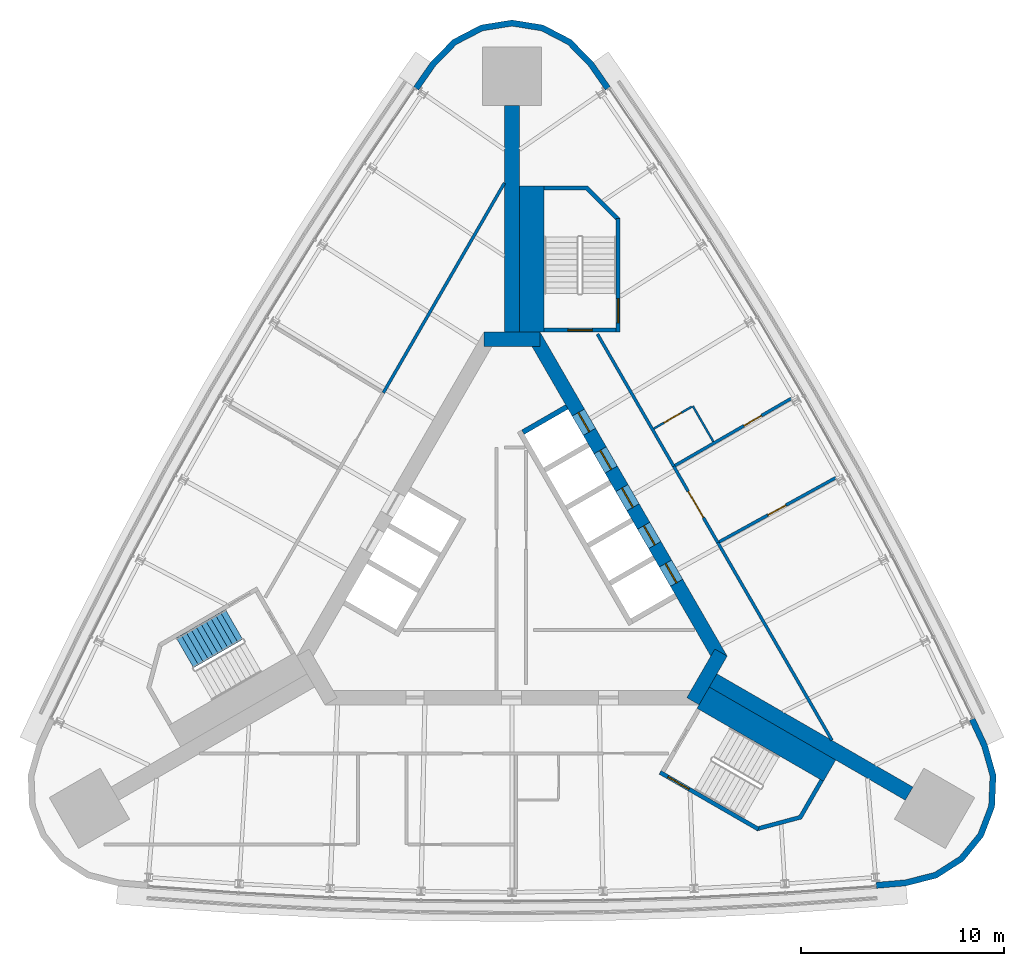
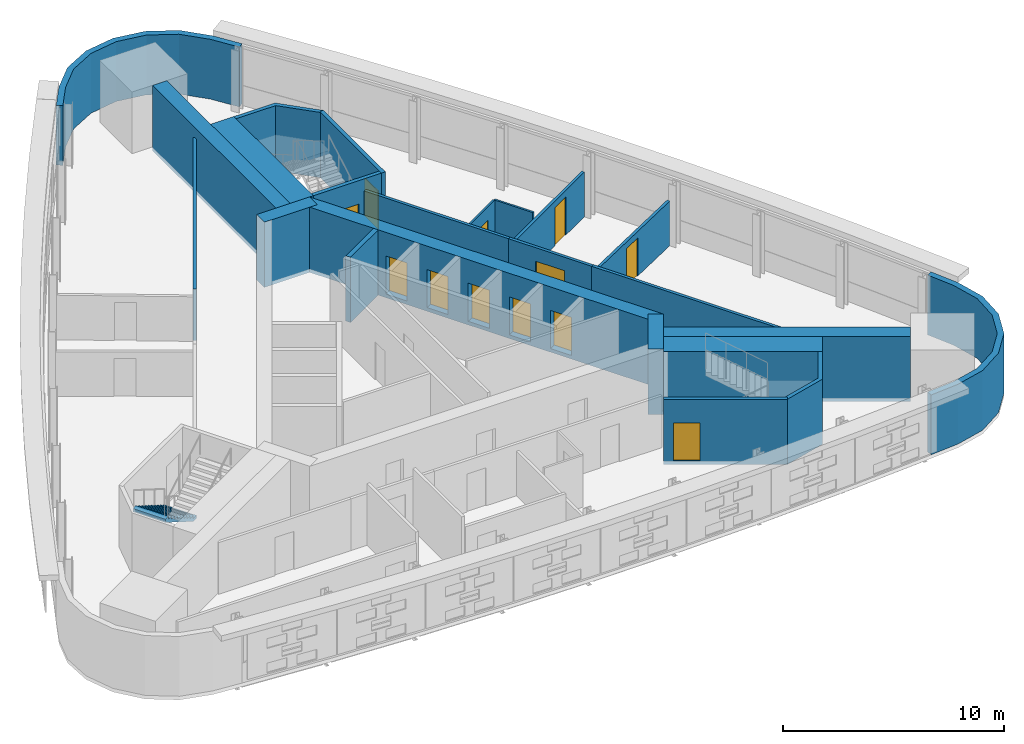
# One storey, part 10 of 13: 23 walls, 12 doors, 1 stair flight, 12 openings, 1 element without a shape of its own.
"""IFC4 building model written with IfcOpenShell, lengths in metres."""

import ifcopenshell
import ifcopenshell.guid

model = None  # the IFC model being written
_history = None  # IfcOwnerHistory: only IFC2X3 demands one
_inside = {}  # id of a spatial element -> (the spatial element, [elements in it])
_under = {}  # id of a project, library or spatial element -> (it, [spatial elements below it])
_declared = {}  # id of a project -> (the project, [libraries it declares])
_typed = {}  # id of a type object -> (the type object, [elements of that type])
_made_of = {}  # id of a material, layer set ... -> (it, [elements and type objects made of it])


def new_model(schema):
    """Start an empty IFC model of exactly this schema.

    Asked for "IFC4X3", IfcOpenShell would pick the latest addendum, in which some entities
    have other attributes; the version numbers below select the first issue.
    IFC2X3 requires an IfcOwnerHistory on every rooted entity: one is made here for all.
    """
    global model, _history
    if schema == "IFC4X3":
        model = ifcopenshell.file(schema_version=(4, 3, 0, 0))
    else:
        model = ifcopenshell.file(schema=schema)
    _inside.clear()
    _under.clear()
    _declared.clear()
    _typed.clear()
    _made_of.clear()
    _history = None
    if model.schema == "IFC2X3":
        org = make("IfcOrganization", Name="unknown")
        user = make(
            "IfcPersonAndOrganization",
            ThePerson=make("IfcPerson", FamilyName="unknown"),
            TheOrganization=org,
        )
        app = make(
            "IfcApplication",
            ApplicationDeveloper=org,
            Version="unknown",
            ApplicationFullName="unknown",
            ApplicationIdentifier="unknown",
        )
        _history = make(
            "IfcOwnerHistory",
            OwningUser=user,
            OwningApplication=app,
            ChangeAction="ADDED",
            CreationDate=0,
        )
    return model


def make(cls, **values):
    """One entity of the class cls with the attributes given. An attribute that is None is left unset."""
    return model.create_entity(
        cls, **{name: value for name, value in values.items() if value is not None}
    )


def rooted(cls, **values):
    """An entity with a GlobalId (a new one), such as an element, a storey or a relation."""
    return make(cls, GlobalId=ifcopenshell.guid.new(), OwnerHistory=_history, **values)


def si_unit(unit_type, name, prefix=None):
    """IfcSIUnit, for example si_unit("LENGTHUNIT", "METRE", prefix="MILLI")."""
    return make("IfcSIUnit", UnitType=unit_type, Prefix=prefix, Name=name)


def assignment(units):
    """IfcUnitAssignment: the units of a project."""
    return None if units is None else make("IfcUnitAssignment", Units=units)


def point(xyz):
    """IfcCartesianPoint."""
    return None if xyz is None else make("IfcCartesianPoint", Coordinates=xyz)


def direction(xyz):
    """IfcDirection."""
    return None if xyz is None else make("IfcDirection", DirectionRatios=xyz)


def frame(location, z_axis=None, x_axis=None):
    """IfcAxis2Placement3D, a coordinate frame: its origin and axes. An axis left out is left unset."""
    return make(
        "IfcAxis2Placement3D",
        Location=point(location),
        Axis=direction(z_axis),
        RefDirection=direction(x_axis),
    )


def frame_2d(location, x_axis=None):
    """IfcAxis2Placement2D, a coordinate frame in the plane: its origin and x axis."""
    return make(
        "IfcAxis2Placement2D", Location=point(location), RefDirection=direction(x_axis)
    )


def origin():
    """The frame at (0, 0, 0) with its axes left unset."""
    return frame((0.0, 0.0, 0.0))


def place(relative_to, where):
    """IfcLocalPlacement: puts the frame where relative to a parent placement (None: the world)."""
    return make(
        "IfcLocalPlacement", PlacementRelTo=relative_to, RelativePlacement=where
    )


def context(
    kind, dimensions, precision=None, world=None, true_north=None, identifier=None
):
    """IfcGeometricRepresentationContext, for example the 3D "Model" context."""
    return make(
        "IfcGeometricRepresentationContext",
        ContextIdentifier=identifier,
        ContextType=kind,
        CoordinateSpaceDimension=dimensions,
        Precision=precision,
        WorldCoordinateSystem=world,
        TrueNorth=true_north,
    )


def subcontext(parent, identifier, kind, view, scale=None):
    """IfcGeometricRepresentationSubContext, for example "Body" below "Model"."""
    return make(
        "IfcGeometricRepresentationSubContext",
        ContextIdentifier=identifier,
        ContextType=kind,
        ParentContext=parent,
        TargetScale=scale,
        TargetView=view,
    )


def project(units=None, contexts=None):
    """IfcProject with its units and contexts."""
    return rooted(
        "IfcProject",
        Name="project",
        RepresentationContexts=contexts,
        UnitsInContext=assignment(units),
    )


def spatial(cls, under=None, at=None, **own):
    """A site, building, storey or space (cls), placed at a placement, below another one or the project."""
    s = rooted(cls, ObjectPlacement=at, **own)
    if under is not None:
        _under.setdefault(under.id(), (under, []))[1].append(s)
    return s


def polyline(points):
    """IfcPolyline through the points."""
    return make("IfcPolyline", Points=[point(p) for p in points])


def profile(cls, at=None, kind="AREA", **sizes):
    """A parametric profile (cls). Its sizes go by their IFC names, for example OverallWidth=200.0."""
    return make(cls, ProfileType=kind, Position=at, **sizes)


def rectangle(**sizes):
    """IfcRectangleProfileDef."""
    return profile("IfcRectangleProfileDef", **sizes)


def outline(outer, holes=None, kind="AREA"):
    """IfcArbitraryClosedProfileDef: a profile drawn as a closed curve; with holes, ...WithVoids."""
    if holes is None:
        return make("IfcArbitraryClosedProfileDef", ProfileType=kind, OuterCurve=outer)
    return make(
        "IfcArbitraryProfileDefWithVoids",
        ProfileType=kind,
        OuterCurve=outer,
        InnerCurves=holes,
    )


def extrude(swept, where, along, depth):
    """IfcExtrudedAreaSolid: the profile swept, set in the frame where, extruded along a direction by depth."""
    return make(
        "IfcExtrudedAreaSolid",
        SweptArea=swept,
        Position=where,
        ExtrudedDirection=direction(along),
        Depth=depth,
    )


def shape(context_of_items, identifier, shape_type, items):
    """IfcShapeRepresentation: the items that make up one representation, for example the "Body"."""
    return make(
        "IfcShapeRepresentation",
        ContextOfItems=context_of_items,
        RepresentationIdentifier=identifier,
        RepresentationType=shape_type,
        Items=items,
    )


def material(Name=None, Category=None):
    """IfcMaterial."""
    return make("IfcMaterial", Name=Name, Category=Category)


def layer(
    of_material, thickness, ventilated=None, Name=None, Category=None, Priority=None
):
    """IfcMaterialLayer: one layer of a wall or slab, of a material (None: an air gap)."""
    return make(
        "IfcMaterialLayer",
        Material=of_material,
        LayerThickness=thickness,
        IsVentilated=ventilated,
        Name=Name,
        Category=Category,
        Priority=Priority,
    )


def layer_set(layers, Name=None):
    """IfcMaterialLayerSet."""
    return make("IfcMaterialLayerSet", MaterialLayers=layers, LayerSetName=Name)


def made_of(thing, what):
    """Note that an element or type object is made of a material, layer set ...; save() writes the relation."""
    if what is not None:
        _made_of.setdefault(what.id(), (what, []))[1].append(thing)
    return thing


def type_object(cls, material=None, **own):
    """A type object (cls), such as IfcWallType, which elements share."""
    return made_of(rooted(cls, **own), material)


def element(
    cls,
    number,
    at=None,
    inside=None,
    cuts=None,
    type_object=None,
    material=None,
    context=None,
    identifier="Body",
    shape_type=None,
    held_by="IfcProductDefinitionShape",
    body=None,
    shapes=None,
    **own,
):
    """One element of the class cls, such as IfcWall. Its Tag is "e" and its number.

    at: its placement. inside: the storey or other place that contains it. cuts: it is an
    opening in that element (IfcRelVoidsElement). A single representation is given by context,
    identifier, shape_type and body (its items); several are given by shapes. held_by: the class
    of the entity that holds the representations. save() writes the other relations.
    """
    e = rooted(cls, Tag="e%d" % number, ObjectPlacement=at, **own)
    if body is not None:
        shapes = [shape(context, identifier, shape_type, body)]
    if shapes is not None:
        e.Representation = make(held_by, Representations=shapes)
    if inside is not None:
        _inside.setdefault(inside.id(), (inside, []))[1].append(e)
    if cuts is not None:
        rooted(
            "IfcRelVoidsElement", RelatingBuildingElement=cuts, RelatedOpeningElement=e
        )
    if type_object is not None:
        _typed.setdefault(type_object.id(), (type_object, []))[1].append(e)
    return made_of(e, material)


def fill(opening, filler):
    """IfcRelFillsElement: the door or window that sits in an opening."""
    return rooted(
        "IfcRelFillsElement",
        RelatingOpeningElement=opening,
        RelatedBuildingElement=filler,
    )


def aggregate(whole, parts):
    """IfcRelAggregates: a whole, such as a stair, and the parts it consists of."""
    return rooted("IfcRelAggregates", RelatingObject=whole, RelatedObjects=parts)


def save(model, path):
    """Write the relations noted so far, then the file.

    IfcRelAggregates (storeys below a building ...), IfcRelContainedInSpatialStructure (elements
    in a storey), IfcRelDefinesByType, IfcRelAssociatesMaterial and IfcRelDeclares: one each for
    every whole, place, type object, material and project.
    """
    for whole, parts in _under.values():
        aggregate(whole, parts)
    for where, things in _inside.values():
        rooted(
            "IfcRelContainedInSpatialStructure",
            RelatedElements=things,
            RelatingStructure=where,
        )
    for kind, things in _typed.values():
        rooted("IfcRelDefinesByType", RelatedObjects=things, RelatingType=kind)
    for what, things in _made_of.values():
        rooted("IfcRelAssociatesMaterial", RelatedObjects=things, RelatingMaterial=what)
    for by, libraries in _declared.values():
        rooted("IfcRelDeclares", RelatingContext=by, RelatedDefinitions=libraries)
    model.write(path)


model = new_model("IFC4")

# Units and contexts
model_context = context("Model", 3, precision=1e-05, world=origin(), true_north=direction((0.0, 1.0)))
body_context = subcontext(model_context, "Body", "Model", "MODEL_VIEW")
ifc_project = project(units=[si_unit("LENGTHUNIT", "METRE"), si_unit("AREAUNIT", "SQUARE_METRE"), si_unit("VOLUMEUNIT", "CUBIC_METRE"), si_unit("PLANEANGLEUNIT", "RADIAN"), si_unit("MASSUNIT", "GRAM", prefix="KILO")], contexts=[model_context])

# Site, building, storey
site_placement = place(None, origin())
site = spatial("IfcSite", under=ifc_project, at=site_placement, CompositionType="ELEMENT")
building_placement = place(site_placement, origin())
building = spatial("IfcBuilding", under=site, at=building_placement, Name="Noor Cloister Tower", CompositionType="ELEMENT")
storey_placement = place(building_placement, frame((0.0, 0.0, 147.300048828125)))
storey = spatial("IfcBuildingStorey", under=building, at=storey_placement, Name="L37", CompositionType="ELEMENT", Elevation=147.300048828125)

# Walls
ifc_material_1 = material(Name="Concrete C70/85", Category="concrete")
ifc_layer_1 = layer(ifc_material_1, 0.75)
ifc_layer_set_1 = layer_set([ifc_layer_1], Name="Buttress wall 750 C70/85")
wall_type_1 = type_object("IfcWallType", Name="Buttress wall 750 C70/85", PredefinedType="SHEAR", material=ifc_layer_set_1)
wall_1_placement = place(storey_placement, frame((0.0, 11.456298828125, -0.199951171875), z_axis=(0.0, 0.0, 1.0), x_axis=(0.0, 1.0, 0.0)))
element("IfcWall", 1, at=wall_1_placement, inside=storey, type_object=wall_type_1, Name="Buttress wall N L37", PredefinedType="SHEAR", context=body_context, shape_type="SweptSolid", body=[
    extrude(rectangle(XDim=11.166748046875, YDim=0.75, at=frame_2d((5.58349609375, 0.0))), origin(), (0.0, 0.0, 1.0), 3.599853515625),
])
wall_2_placement = place(storey_placement, frame((9.921630859375, -5.728271484375, -0.199951171875), z_axis=(0.0, 0.0, 1.0), x_axis=(0.866023928423, -0.500002555393, 0.0)))
element("IfcWall", 2, at=wall_2_placement, inside=storey, type_object=wall_type_1, Name="Buttress wall SE L37", PredefinedType="SHEAR", context=body_context, shape_type="SweptSolid", body=[
    extrude(rectangle(XDim=11.16650390625, YDim=0.75, at=frame_2d((5.583251953125, 0.0))), origin(), (0.0, 0.0, 1.0), 3.599853515625),
])
ifc_material_2 = material(Name="Concrete C70/85", Category="concrete")
ifc_layer_2 = layer(ifc_material_2, 0.699951171875)
ifc_layer_set_2 = layer_set([ifc_layer_2], Name="Core wall 700 C70/85")
wall_type_2 = type_object("IfcWallType", Name="Core wall 700 C70/85", PredefinedType="SHEAR", material=ifc_layer_set_2)
wall_3_placement = place(storey_placement, frame((8.925537109375, -6.753173828125, -0.199951171875), z_axis=(0.0, 0.0, 1.0), x_axis=(0.500042739161, 0.866000726912, 0.0)))
element("IfcWall", 3, at=wall_3_placement, inside=storey, type_object=wall_type_2, Name="Core wall L37 2", PredefinedType="SHEAR", context=body_context, shape_type="SweptSolid", body=[
    extrude(rectangle(XDim=2.771240234375, YDim=0.699951171875, at=frame_2d((1.3857421875, 0.0))), origin(), (0.0, 0.0, 1.0), 3.599853515625),
])

# Wall, openings, doors
wall_4_placement = place(storey_placement, frame((10.311279296875, -4.703125, -0.199951171875), z_axis=(0.0, 0.0, 1.0), x_axis=(-0.500001446645, 0.866024568562, 0.0)))
wall_4 = element("IfcWall", 4, at=wall_4_placement, inside=storey, type_object=wall_type_2, Name="Core wall L37 3", PredefinedType="SHEAR", context=body_context, shape_type="SweptSolid", body=[
    extrude(rectangle(XDim=18.45751953125, YDim=0.699951171875, at=frame_2d((9.228759765625, 0.0))), origin(), (0.0, 0.0, 1.0), 3.599853515625),
])
opening_1_placement = place(wall_4_placement, frame((4.378662109375, 0.0, 0.199951171875)))
opening_1 = element("IfcOpeningElement", 5, at=opening_1_placement, cuts=wall_4, Name="Opening L37-HR1", PredefinedType="OPENING", context=body_context, shape_type="SweptSolid", body=[
    extrude(rectangle(XDim=1.10009765625, YDim=2.10009765625, at=frame_2d((0.550048828125, 1.050048828125))), frame((0.0, 0.35986328125, 0.0), z_axis=(0.0, -1.0, 0.0), x_axis=(1.0, 0.0, 0.0)), (0.0, 0.0, 1.0), 0.719970703125),
])
opening_2_placement = place(wall_4_placement, frame((6.52880859375, 0.0, 0.199951171875)))
opening_2 = element("IfcOpeningElement", 6, at=opening_2_placement, cuts=wall_4, Name="Opening L37-HR2", PredefinedType="OPENING", context=body_context, shape_type="SweptSolid", body=[
    extrude(rectangle(XDim=1.10009765625, YDim=2.10009765625, at=frame_2d((0.550048828125, 1.050048828125))), frame((0.0, 0.35986328125, 0.0), z_axis=(0.0, -1.0, 0.0), x_axis=(1.0, 0.0, 0.0)), (0.0, 0.0, 1.0), 0.719970703125),
])
opening_3_placement = place(wall_4_placement, frame((8.6787109375, 0.0, 0.199951171875)))
opening_3 = element("IfcOpeningElement", 7, at=opening_3_placement, cuts=wall_4, Name="Opening L37-HR3", PredefinedType="OPENING", context=body_context, shape_type="SweptSolid", body=[
    extrude(rectangle(XDim=1.10009765625, YDim=2.10009765625, at=frame_2d((0.550048828125, 1.050048828125))), frame((0.0, 0.35986328125, 0.0), z_axis=(0.0, -1.0, 0.0), x_axis=(1.0, 0.0, 0.0)), (0.0, 0.0, 1.0), 0.719970703125),
])
opening_4_placement = place(wall_4_placement, frame((10.82861328125, 0.0, 0.199951171875)))
opening_4 = element("IfcOpeningElement", 8, at=opening_4_placement, cuts=wall_4, Name="Opening L37-HR4", PredefinedType="OPENING", context=body_context, shape_type="SweptSolid", body=[
    extrude(rectangle(XDim=1.10009765625, YDim=2.10009765625, at=frame_2d((0.550048828125, 1.050048828125))), frame((0.0, 0.35986328125, 0.0), z_axis=(0.0, -1.0, 0.0), x_axis=(1.0, 0.0, 0.0)), (0.0, 0.0, 1.0), 0.719970703125),
])
opening_5_placement = place(wall_4_placement, frame((12.978759765625, 0.0, 0.199951171875)))
opening_5 = element("IfcOpeningElement", 9, at=opening_5_placement, cuts=wall_4, Name="Opening L37-HR5", PredefinedType="OPENING", context=body_context, shape_type="SweptSolid", body=[
    extrude(rectangle(XDim=1.10009765625, YDim=2.10009765625, at=frame_2d((0.550048828125, 1.050048828125))), frame((0.0, 0.35986328125, 0.0), z_axis=(0.0, -1.0, 0.0), x_axis=(1.0, 0.0, 0.0)), (0.0, 0.0, 1.0), 0.719970703125),
])
ifc_material_3 = material(Name="Stainless steel", Category="steel")
door_type_1 = type_object("IfcDoorType", Name="Lift landing door 1100 x 2100", OperationType="DOUBLE_DOOR_SLIDING", PredefinedType="DOOR", material=ifc_material_3)
door_1_placement = place(opening_1_placement, origin())
door_1 = element("IfcDoor", 10, at=door_1_placement, inside=storey, type_object=door_type_1, Name="Landing door HR1 L37", OperationType="DOUBLE_DOOR_SLIDING", OverallHeight=2.10009765625, OverallWidth=1.10009765625, PredefinedType="DOOR", context=body_context, shape_type="SweptSolid", body=[
    extrude(rectangle(XDim=1.10009765625, YDim=2.10009765625, at=frame_2d((0.550048828125, 1.050048828125))), frame((0.0, 0.02490234375, 0.0), z_axis=(0.0, -1.0, 0.0), x_axis=(1.0, 0.0, 0.0)), (0.0, 0.0, 1.0), 0.050048828125),
])
fill(opening_1, door_1)
door_2_placement = place(opening_2_placement, origin())
door_2 = element("IfcDoor", 11, at=door_2_placement, inside=storey, type_object=door_type_1, Name="Landing door HR2 L37", OperationType="DOUBLE_DOOR_SLIDING", OverallHeight=2.10009765625, OverallWidth=1.10009765625, PredefinedType="DOOR", context=body_context, shape_type="SweptSolid", body=[
    extrude(rectangle(XDim=1.10009765625, YDim=2.10009765625, at=frame_2d((0.550048828125, 1.050048828125))), frame((0.0, 0.02490234375, 0.0), z_axis=(0.0, -1.0, 0.0), x_axis=(1.0, 0.0, 0.0)), (0.0, 0.0, 1.0), 0.050048828125),
])
fill(opening_2, door_2)
door_3_placement = place(opening_3_placement, origin())
door_3 = element("IfcDoor", 12, at=door_3_placement, inside=storey, type_object=door_type_1, Name="Landing door HR3 L37", OperationType="DOUBLE_DOOR_SLIDING", OverallHeight=2.10009765625, OverallWidth=1.10009765625, PredefinedType="DOOR", context=body_context, shape_type="SweptSolid", body=[
    extrude(rectangle(XDim=1.10009765625, YDim=2.10009765625, at=frame_2d((0.550048828125, 1.050048828125))), frame((0.0, 0.02490234375, 0.0), z_axis=(0.0, -1.0, 0.0), x_axis=(1.0, 0.0, 0.0)), (0.0, 0.0, 1.0), 0.050048828125),
])
fill(opening_3, door_3)
door_4_placement = place(opening_4_placement, origin())
door_4 = element("IfcDoor", 13, at=door_4_placement, inside=storey, type_object=door_type_1, Name="Landing door HR4 L37", OperationType="DOUBLE_DOOR_SLIDING", OverallHeight=2.10009765625, OverallWidth=1.10009765625, PredefinedType="DOOR", context=body_context, shape_type="SweptSolid", body=[
    extrude(rectangle(XDim=1.10009765625, YDim=2.10009765625, at=frame_2d((0.550048828125, 1.050048828125))), frame((0.0, 0.02490234375, 0.0), z_axis=(0.0, -1.0, 0.0), x_axis=(1.0, 0.0, 0.0)), (0.0, 0.0, 1.0), 0.050048828125),
])
fill(opening_4, door_4)
door_5_placement = place(opening_5_placement, origin())
door_5 = element("IfcDoor", 14, at=door_5_placement, inside=storey, type_object=door_type_1, Name="Landing door HR5 L37", OperationType="DOUBLE_DOOR_SLIDING", OverallHeight=2.10009765625, OverallWidth=1.10009765625, PredefinedType="DOOR", context=body_context, shape_type="SweptSolid", body=[
    extrude(rectangle(XDim=1.10009765625, YDim=2.10009765625, at=frame_2d((0.550048828125, 1.050048828125))), frame((0.0, 0.02490234375, 0.0), z_axis=(0.0, -1.0, 0.0), x_axis=(1.0, 0.0, 0.0)), (0.0, 0.0, 1.0), 0.050048828125),
])
fill(opening_5, door_5)

# Walls
wall_5_placement = place(storey_placement, frame((1.3857421875, 11.1064453125, -0.199951171875), z_axis=(0.0, 0.0, 1.0), x_axis=(-1.0, 0.0, 0.0)))
element("IfcWall", 15, at=wall_5_placement, inside=storey, type_object=wall_type_2, Name="Core wall L37 4", PredefinedType="SHEAR", context=body_context, shape_type="SweptSolid", body=[
    extrude(rectangle(XDim=2.771484375, YDim=0.699951171875, at=frame_2d((1.3857421875, 0.0))), origin(), (0.0, 0.0, 1.0), 3.599853515625),
])
ifc_material_4 = material(Name="Fire-rated gypsum board partition on steel studs, 150 mm", Category="steel")
ifc_layer_3 = layer(ifc_material_4, 0.14990234375)
ifc_layer_set_3 = layer_set([ifc_layer_3], Name="Fire lobby wall 150")
wall_type_3 = type_object("IfcWallType", Name="Fire lobby wall 150", PredefinedType="PARTITIONING", material=ifc_layer_set_3)
wall_6_placement = place(storey_placement, frame((-0.375, 18.806884765625, 0.0), z_axis=(0.0, 0.0, 1.0), x_axis=(-0.499995562011, -0.866027966043, 0.0)))
element("IfcWall", 16, at=wall_6_placement, inside=storey, type_object=wall_type_3, Name="Wall L37-W18", PredefinedType="PARTITIONING", context=body_context, shape_type="SweptSolid", body=[
    extrude(rectangle(XDim=11.9423828125, YDim=0.14990234375, at=frame_2d((5.97119140625, 0.0))), origin(), (0.0, 0.0, 1.0), 2.846923828125),
])
ifc_material_5 = material(Name="Gypsum board partition on steel studs, 150 mm", Category="steel")
ifc_layer_4 = layer(ifc_material_5, 0.14990234375)
ifc_layer_set_4 = layer_set([ifc_layer_4], Name="Flat wall 150")
wall_type_4 = type_object("IfcWallType", Name="Flat wall 150", PredefinedType="PARTITIONING", material=ifc_layer_set_4)
wall_7_placement = place(storey_placement, frame((15.781982421875, -8.6787109375, 0.0), z_axis=(0.0, 0.0, 1.0), x_axis=(-0.500008408626, 0.866020549008, 0.0)))
element("IfcWall", 17, at=wall_7_placement, inside=storey, type_object=wall_type_4, Name="Wall L37-W01", PredefinedType="PARTITIONING", context=body_context, shape_type="SweptSolid", body=[
    extrude(rectangle(XDim=11.258056640625, YDim=0.14990234375, at=frame_2d((5.62890625, 0.0))), origin(), (0.0, 0.0, 1.0), 2.846923828125),
])
wall_8_placement = place(storey_placement, frame((7.978515625, 4.83740234375, 0.0), z_axis=(0.0, 0.0, 1.0), x_axis=(-0.500014427086, 0.866017074142, 0.0)))
element("IfcWall", 18, at=wall_8_placement, inside=storey, type_object=wall_type_4, Name="Wall L37-W02", PredefinedType="PARTITIONING", context=body_context, shape_type="SweptSolid", body=[
    extrude(rectangle(XDim=7.527587890625, YDim=0.14990234375, at=frame_2d((3.763671875, 0.0))), origin(), (0.0, 0.0, 1.0), 2.846923828125),
])

# Wall, opening, door
wall_9_placement = place(storey_placement, frame((15.98046875, 4.278076171875, 0.0), z_axis=(0.0, 0.0, 1.0), x_axis=(-0.876090474863, -0.482146740997, 0.0)))
wall_9 = element("IfcWall", 19, at=wall_9_placement, inside=storey, type_object=wall_type_4, Name="Wall L37-W03", PredefinedType="PARTITIONING", context=body_context, shape_type="SweptSolid", body=[
    extrude(rectangle(XDim=6.57666015625, YDim=0.14990234375, at=frame_2d((3.288330078125, 0.0))), origin(), (0.0, 0.0, 1.0), 2.4609375),
])
opening_6_placement = place(wall_9_placement, frame((2.825927734375, 0.0, 0.0)))
opening_6 = element("IfcOpeningElement", 20, at=opening_6_placement, cuts=wall_9, Name="Opening L37-002", PredefinedType="OPENING", context=body_context, shape_type="SweptSolid", body=[
    extrude(rectangle(XDim=1.0, YDim=2.10009765625, at=frame_2d((0.5, 1.050048828125))), frame((0.0, 0.0849609375, 0.0), z_axis=(0.0, -1.0, 0.0), x_axis=(1.0, 0.0, 0.0)), (0.0, 0.0, 1.0), 0.169921875),
])
ifc_material_6 = material(Name="Timber door leaf with steel frame", Category="steel")
door_type_2 = type_object("IfcDoorType", Name="Interior door 1000 FD60", OperationType="NOTDEFINED", PredefinedType="DOOR", material=ifc_material_6)
door_6_placement = place(opening_6_placement, origin())
door_6 = element("IfcDoor", 21, at=door_6_placement, inside=storey, type_object=door_type_2, Name="Door L37-002", OperationType="SINGLE_SWING_RIGHT", OverallHeight=2.10009765625, OverallWidth=1.0, PredefinedType="DOOR", context=body_context, shape_type="SweptSolid", body=[
    extrude(rectangle(XDim=1.0, YDim=2.10009765625, at=frame_2d((0.5, 1.050048828125))), frame((0.0, 0.02490234375, 0.0), z_axis=(0.0, -1.0, 0.0), x_axis=(1.0, 0.0, 0.0)), (0.0, 0.0, 1.0), 0.050048828125),
])
fill(opening_6, door_6)

wall_10_placement = place(storey_placement, frame((13.774169921875, 8.183349609375, 0.0), z_axis=(0.0, 0.0, 1.0), x_axis=(-0.866027686223, -0.499996046679, 0.0)))
wall_10 = element("IfcWall", 22, at=wall_10_placement, inside=storey, type_object=wall_type_4, Name="Wall L37-W04", PredefinedType="PARTITIONING", context=body_context, shape_type="SweptSolid", body=[
    extrude(rectangle(XDim=6.6171875, YDim=0.14990234375, at=frame_2d((3.30859375, 0.0))), origin(), (0.0, 0.0, 1.0), 2.4609375),
])
opening_7_placement = place(wall_10_placement, frame((1.696044921875, 0.0, 0.0)))
opening_7 = element("IfcOpeningElement", 23, at=opening_7_placement, cuts=wall_10, Name="Opening L37-004", PredefinedType="OPENING", context=body_context, shape_type="SweptSolid", body=[
    extrude(rectangle(XDim=1.0, YDim=2.10009765625, at=frame_2d((0.5, 1.050048828125))), frame((0.0, 0.0849609375, 0.0), z_axis=(0.0, -1.0, 0.0), x_axis=(1.0, 0.0, 0.0)), (0.0, 0.0, 1.0), 0.169921875),
])
ifc_material_7 = material(Name="Timber door leaf with steel frame", Category="steel")
door_type_3 = type_object("IfcDoorType", Name="Flat entrance door 1000", OperationType="NOTDEFINED", PredefinedType="DOOR", material=ifc_material_7)
door_7_placement = place(opening_7_placement, origin())
door_7 = element("IfcDoor", 24, at=door_7_placement, inside=storey, type_object=door_type_3, Name="Door L37-004", OperationType="SINGLE_SWING_RIGHT", OverallHeight=2.10009765625, OverallWidth=1.0, PredefinedType="DOOR", context=body_context, shape_type="SweptSolid", body=[
    extrude(rectangle(XDim=1.0, YDim=2.10009765625, at=frame_2d((0.5, 1.050048828125))), frame((0.0, 0.02490234375, 0.0), z_axis=(0.0, -1.0, 0.0), x_axis=(1.0, 0.0, 0.0)), (0.0, 0.0, 1.0), 0.050048828125),
])
fill(opening_7, door_7)

wall_11_placement = place(storey_placement, frame((10.15283203125, 1.071044921875, 0.0), z_axis=(0.0, 0.0, 1.0), x_axis=(-0.499967049188, 0.866044427109, 0.0)))
wall_11 = element("IfcWall", 25, at=wall_11_placement, inside=storey, type_object=wall_type_4, Name="Wall L37-W05", PredefinedType="PARTITIONING", context=body_context, shape_type="SweptSolid", body=[
    extrude(rectangle(XDim=4.348876953125, YDim=0.14990234375, at=frame_2d((2.17431640625, 0.0))), origin(), (0.0, 0.0, 1.0), 2.846923828125),
])
opening_8_placement = place(wall_11_placement, frame((1.424560546875, 0.0, 0.0)))
opening_8 = element("IfcOpeningElement", 26, at=opening_8_placement, cuts=wall_11, Name="Opening L37-001", PredefinedType="OPENING", context=body_context, shape_type="SweptSolid", body=[
    extrude(rectangle(XDim=1.5, YDim=2.10009765625, at=frame_2d((0.75, 1.050048828125))), frame((0.0, 0.0849609375, 0.0), z_axis=(0.0, -1.0, 0.0), x_axis=(1.0, 0.0, 0.0)), (0.0, 0.0, 1.0), 0.169921875),
])
ifc_material_8 = material(Name="Timber door leaf with steel frame", Category="steel")
door_type_4 = type_object("IfcDoorType", Name="Double door 1500 FD60", OperationType="NOTDEFINED", PredefinedType="DOOR", material=ifc_material_8)
door_8_placement = place(opening_8_placement, origin())
door_8 = element("IfcDoor", 27, at=door_8_placement, inside=storey, type_object=door_type_4, Name="Door L37-001", OperationType="DOUBLE_DOOR_SINGLE_SWING", OverallHeight=2.10009765625, OverallWidth=1.5, PredefinedType="DOOR", context=body_context, shape_type="SweptSolid", body=[
    extrude(rectangle(XDim=1.5, YDim=2.10009765625, at=frame_2d((0.75, 1.050048828125))), frame((0.0, 0.02490234375, 0.0), z_axis=(0.0, -1.0, 0.0), x_axis=(1.0, 0.0, 0.0)), (0.0, 0.0, 1.0), 0.050048828125),
])
fill(opening_8, door_8)

# Walls
ifc_material_9 = material(Name="Limestone", Category="masonry")
ifc_layer_5 = layer(ifc_material_9, 0.300048828125)
ifc_layer_set_5 = layer_set([ifc_layer_5], Name="Limestone cladding 300")
wall_type_5 = type_object("IfcWallType", Name="Limestone cladding 300", PredefinedType="NOTDEFINED", material=ifc_layer_set_5)
wall_12_placement = place(storey_placement, origin())
element("IfcWall", 28, at=wall_12_placement, inside=storey, type_object=wall_type_5, Name="Limestone pier cladding L37 2.1", PredefinedType="NOTDEFINED", context=body_context, shape_type="SweptSolid", body=[
    extrude(outline(polyline([(17.979736328125, -15.98486328125), (19.44189453125, -15.859619140625), (20.95458984375, -15.47607421875), (22.27001953125, -14.636474609375), (23.25537109375, -13.426513671875), (23.810791015625, -11.96826171875), (23.8798828125, -10.4091796875), (23.455810546875, -8.907470703125), (22.833251953125, -7.57861328125), (22.5615234375, -7.705810546875), (23.173828125, -9.012451171875), (23.578125, -10.444091796875), (23.51318359375, -11.906494140625), (22.9921875, -13.274658203125), (22.06787109375, -14.40966796875), (20.833984375, -15.197021484375), (19.39208984375, -15.56298828125), (17.954345703125, -15.685791015625), (17.979736328125, -15.98486328125)])), origin(), (0.0, 0.0, 1.0), 3.300048828125),
])
wall_13_placement = place(storey_placement, origin())
element("IfcWall", 29, at=wall_13_placement, inside=storey, type_object=wall_type_5, Name="Limestone pier cladding L37 3.1", PredefinedType="NOTDEFINED", context=body_context, shape_type="SweptSolid", body=[
    extrude(outline(polyline([(4.853271484375, 23.5634765625), (4.013916015625, 24.76708984375), (2.92529296875, 25.88525390625), (1.54052734375, 26.604736328125), (0.0, 26.85302734375), (-1.54052734375, 26.604736328125), (-2.92529296875, 25.88525390625), (-4.013916015625, 24.76708984375), (-4.853271484375, 23.5634765625), (-4.607177734375, 23.391845703125), (-3.78173828125, 24.575439453125), (-2.744140625, 25.641357421875), (-1.445068359375, 26.316162109375), (0.0, 26.549072265625), (1.445068359375, 26.316162109375), (2.744140625, 25.641357421875), (3.78173828125, 24.575439453125), (4.607177734375, 23.391845703125), (4.853271484375, 23.5634765625)])), origin(), (0.0, 0.0, 1.0), 3.300048828125),
])
ifc_material_10 = material(Name="Gypsum board partition on steel studs, 100 mm", Category="steel")
ifc_layer_6 = layer(ifc_material_10, 0.10009765625)
ifc_layer_set_6 = layer_set([ifc_layer_6], Name="Partition 100")
wall_type_6 = type_object("IfcWallType", Name="Partition 100", PredefinedType="PARTITIONING", material=ifc_layer_set_6)
wall_14_placement = place(storey_placement, frame((9.932861328125, 6.05224609375, 0.0), z_axis=(0.0, 0.0, 1.0), x_axis=(-0.499990325971, 0.866030989016, 0.0)))
element("IfcWall", 30, at=wall_14_placement, inside=storey, type_object=wall_type_6, Name="Wall L37-W06", PredefinedType="PARTITIONING", context=body_context, shape_type="SweptSolid", body=[
    extrude(rectangle(XDim=2.02490234375, YDim=0.10009765625, at=frame_2d((1.012451171875, 0.0))), origin(), (0.0, 0.0, 1.0), 2.846923828125),
])

# Wall, opening, door
wall_15_placement = place(storey_placement, frame((8.876953125, 7.781005859375, 0.0), z_axis=(0.0, 0.0, 1.0), x_axis=(-0.865989304205, -0.500062521093, 0.0)))
wall_15 = element("IfcWall", 31, at=wall_15_placement, inside=storey, type_object=wall_type_6, Name="Wall L37-W07", PredefinedType="PARTITIONING", context=body_context, shape_type="SweptSolid", body=[
    extrude(rectangle(XDim=2.175048828125, YDim=0.10009765625, at=frame_2d((1.08740234375, 0.0))), origin(), (0.0, 0.0, 1.0), 2.846923828125),
])
opening_9_placement = place(wall_15_placement, frame((0.60009765625, 0.0, 0.0)))
opening_9 = element("IfcOpeningElement", 32, at=opening_9_placement, cuts=wall_15, Name="Opening L37-003", PredefinedType="OPENING", context=body_context, shape_type="SweptSolid", body=[
    extrude(rectangle(XDim=1.0, YDim=2.10009765625, at=frame_2d((0.5, 1.050048828125))), frame((0.0, 0.06005859375, 0.0), z_axis=(0.0, -1.0, 0.0), x_axis=(1.0, 0.0, 0.0)), (0.0, 0.0, 1.0), 0.1201171875),
])
ifc_material_11 = material(Name="Timber door leaf with steel frame", Category="steel")
door_type_5 = type_object("IfcDoorType", Name="Interior door 1000", OperationType="NOTDEFINED", PredefinedType="DOOR", material=ifc_material_11)
door_9_placement = place(opening_9_placement, origin())
door_9 = element("IfcDoor", 33, at=door_9_placement, inside=storey, type_object=door_type_5, Name="Door L37-003", OperationType="SINGLE_SWING_LEFT", OverallHeight=2.10009765625, OverallWidth=1.0, PredefinedType="DOOR", context=body_context, shape_type="SweptSolid", body=[
    extrude(rectangle(XDim=1.0, YDim=2.10009765625, at=frame_2d((0.5, 1.050048828125))), frame((0.0, 0.02490234375, 0.0), z_axis=(0.0, -1.0, 0.0), x_axis=(1.0, 0.0, 0.0)), (0.0, 0.0, 1.0), 0.050048828125),
])
fill(opening_9, door_9)

# Walls
ifc_material_12 = material(Name="Concrete C70/85", Category="concrete")
ifc_layer_7 = layer(ifc_material_12, 0.25)
ifc_layer_set_7 = layer_set([ifc_layer_7], Name="Shaft wall 250 C70/85")
wall_type_7 = type_object("IfcWallType", Name="Shaft wall 250 C70/85", PredefinedType="PARTITIONING", material=ifc_layer_set_7)
wall_16_placement = place(storey_placement, frame((2.706298828125, 7.76904296875, -0.199951171875), z_axis=(0.0, 0.0, 1.0), x_axis=(-0.866022959057, -0.500004234368, 0.0)))
element("IfcWall", 34, at=wall_16_placement, inside=storey, type_object=wall_type_7, Name="Lift shaft wall L37 NE 6", PredefinedType="PARTITIONING", context=body_context, shape_type="SweptSolid", body=[
    extrude(rectangle(XDim=2.5, YDim=0.25, at=frame_2d((1.25, 0.0))), origin(), (0.0, 0.0, 1.0), 3.599853515625),
])
ifc_material_13 = material(Name="Concrete C70/85", Category="concrete")
ifc_layer_8 = layer(ifc_material_13, 1.2109375)
ifc_layer_set_8 = layer_set([ifc_layer_8], Name="Stair enclosure wall 1211 C70/85")
wall_type_8 = type_object("IfcWallType", Name="Stair enclosure wall 1211 C70/85", PredefinedType="SHEAR", material=ifc_layer_set_8)
wall_17_placement = place(storey_placement, frame((0.980224609375, 11.456298828125, -0.199951171875), z_axis=(0.0, 0.0, 1.0), x_axis=(0.0, 1.0, 0.0)))
element("IfcWall", 35, at=wall_17_placement, inside=storey, type_object=wall_type_8, Name="Stair enclosure wall ST1 L37 riser side", PredefinedType="SHEAR", context=body_context, shape_type="SweptSolid", body=[
    extrude(rectangle(XDim=7.2001953125, YDim=1.210693359375, at=frame_2d((3.60009765625, 0.0))), origin(), (0.0, 0.0, 1.0), 3.599853515625),
])
wall_18_placement = place(storey_placement, frame((9.431396484375, -6.5771484375, -0.199951171875), z_axis=(0.0, 0.0, 1.0), x_axis=(0.866018442252, -0.500012057535, 0.0)))
element("IfcWall", 36, at=wall_18_placement, inside=storey, type_object=wall_type_8, Name="Stair enclosure wall ST3 L37 riser side", PredefinedType="SHEAR", context=body_context, shape_type="SweptSolid", body=[
    extrude(rectangle(XDim=7.199951171875, YDim=1.210693359375, at=frame_2d((3.60009765625, 0.0))), origin(), (0.0, 0.0, 1.0), 3.599853515625),
])

# Wall, opening, door
ifc_material_14 = material(Name="Concrete C70/85", Category="concrete")
ifc_layer_9 = layer(ifc_material_14, 0.199951171875)
ifc_layer_set_9 = layer_set([ifc_layer_9], Name="Stair enclosure wall 200 C70/85")
wall_type_9 = type_object("IfcWallType", Name="Stair enclosure wall 200 C70/85", PredefinedType="SHEAR", material=ifc_layer_set_9)
wall_19_placement = place(storey_placement, frame((5.135498046875, 11.556396484375, -0.199951171875), z_axis=(0.0, 0.0, 1.0), x_axis=(-1.0, 0.0, 0.0)))
wall_19 = element("IfcWall", 37, at=wall_19_placement, inside=storey, type_object=wall_type_9, Name="Stair enclosure wall ST1 L37 near end", PredefinedType="SHEAR", context=body_context, shape_type="SweptSolid", body=[
    extrude(rectangle(XDim=3.5498046875, YDim=0.199951171875, at=frame_2d((1.77490234375, 0.0))), origin(), (0.0, 0.0, 1.0), 3.599853515625),
])
opening_10_placement = place(wall_19_placement, frame((1.175048828125, 0.0, 0.199951171875)))
opening_10 = element("IfcOpeningElement", 38, at=opening_10_placement, cuts=wall_19, Name="Opening L37-ST1L", PredefinedType="OPENING", context=body_context, shape_type="SweptSolid", body=[
    extrude(rectangle(XDim=1.199951171875, YDim=2.10009765625, at=frame_2d((0.60009765625, 1.050048828125))), frame((0.0, 0.10986328125, 0.0), z_axis=(0.0, -1.0, 0.0), x_axis=(1.0, 0.0, 0.0)), (0.0, 0.0, 1.0), 0.219970703125),
])
ifc_material_15 = material(Name="Steel", Category="steel")
door_type_6 = type_object("IfcDoorType", Name="Stair door 1200 x 2100 FD120", OperationType="SINGLE_SWING_LEFT", PredefinedType="DOOR", material=ifc_material_15)
door_10_placement = place(opening_10_placement, origin())
door_10 = element("IfcDoor", 39, at=door_10_placement, inside=storey, type_object=door_type_6, Name="Stair door ST1 L37", OperationType="SINGLE_SWING_RIGHT", OverallHeight=2.10009765625, OverallWidth=1.199951171875, PredefinedType="DOOR", context=body_context, shape_type="SweptSolid", body=[
    extrude(rectangle(XDim=1.199951171875, YDim=2.10009765625, at=frame_2d((0.60009765625, 1.050048828125))), frame((0.0, 0.02490234375, 0.0), z_axis=(0.0, -1.0, 0.0), x_axis=(1.0, 0.0, 0.0)), (0.0, 0.0, 1.0), 0.050048828125),
])
fill(opening_10, door_10)

wall_20_placement = place(storey_placement, frame((5.235595703125, 11.456298828125, -0.199951171875), z_axis=(0.0, 0.0, 1.0), x_axis=(0.0, 1.0, 0.0)))
wall_20 = element("IfcWall", 40, at=wall_20_placement, inside=storey, type_object=wall_type_9, Name="Stair enclosure wall ST1 L37 outer side", PredefinedType="SHEAR", context=body_context, shape_type="SweptSolid", body=[
    extrude(rectangle(XDim=5.60009765625, YDim=0.199951171875, at=frame_2d((2.800048828125, 0.0))), origin(), (0.0, 0.0, 1.0), 3.599853515625),
])
opening_11_placement = place(wall_20_placement, frame((0.449951171875, 0.0, 0.199951171875)))
opening_11 = element("IfcOpeningElement", 41, at=opening_11_placement, cuts=wall_20, Name="Opening L37-ST1C", PredefinedType="OPENING", context=body_context, shape_type="SweptSolid", body=[
    extrude(rectangle(XDim=1.199951171875, YDim=2.10009765625, at=frame_2d((0.60009765625, 1.050048828125))), frame((0.0, 0.10986328125, 0.0), z_axis=(0.0, -1.0, 0.0), x_axis=(1.0, 0.0, 0.0)), (0.0, 0.0, 1.0), 0.219970703125),
])
door_11_placement = place(opening_11_placement, origin())
door_11 = element("IfcDoor", 42, at=door_11_placement, inside=storey, type_object=door_type_6, Name="Stair door ST1 L37", OperationType="SINGLE_SWING_LEFT", OverallHeight=2.10009765625, OverallWidth=1.199951171875, PredefinedType="DOOR", context=body_context, shape_type="SweptSolid", body=[
    extrude(rectangle(XDim=1.199951171875, YDim=2.10009765625, at=frame_2d((0.60009765625, 1.050048828125))), frame((0.0, 0.02490234375, 0.0), z_axis=(0.0, -1.0, 0.0), x_axis=(1.0, 0.0, 0.0)), (0.0, 0.0, 1.0), 0.050048828125),
])
fill(opening_11, door_11)

wall_21_placement = place(storey_placement, frame((7.3037109375, -10.262451171875, -0.199951171875), z_axis=(0.0, 0.0, 1.0), x_axis=(0.866026594901, -0.49999793692, 0.0)))
wall_21 = element("IfcWall", 43, at=wall_21_placement, inside=storey, type_object=wall_type_9, Name="Stair enclosure wall ST3 L37 outer side", PredefinedType="SHEAR", context=body_context, shape_type="SweptSolid", body=[
    extrude(rectangle(XDim=5.60009765625, YDim=0.199951171875, at=frame_2d((2.800048828125, 0.0))), origin(), (0.0, 0.0, 1.0), 3.599853515625),
])
opening_12_placement = place(wall_21_placement, frame((0.449951171875, 0.0, 0.199951171875)))
opening_12 = element("IfcOpeningElement", 44, at=opening_12_placement, cuts=wall_21, Name="Opening L37-ST3C", PredefinedType="OPENING", context=body_context, shape_type="SweptSolid", body=[
    extrude(rectangle(XDim=1.199951171875, YDim=2.10009765625, at=frame_2d((0.60009765625, 1.050048828125))), frame((0.0, 0.10986328125, 0.0), z_axis=(0.0, -1.0, 0.0), x_axis=(1.0, 0.0, 0.0)), (0.0, 0.0, 1.0), 0.219970703125),
])
door_12_placement = place(opening_12_placement, origin())
door_12 = element("IfcDoor", 45, at=door_12_placement, inside=storey, type_object=door_type_6, Name="Stair door ST3 L37", OperationType="SINGLE_SWING_LEFT", OverallHeight=2.10009765625, OverallWidth=1.199951171875, PredefinedType="DOOR", context=body_context, shape_type="SweptSolid", body=[
    extrude(rectangle(XDim=1.199951171875, YDim=2.10009765625, at=frame_2d((0.60009765625, 1.050048828125))), frame((0.0, 0.02490234375, 0.0), z_axis=(0.0, -1.0, 0.0), x_axis=(1.0, 0.0, 0.0)), (0.0, 0.0, 1.0), 0.050048828125),
])
fill(opening_12, door_12)

# Walls
ifc_material_16 = material(Name="Concrete C70/85", Category="concrete")
wall_type_10 = type_object("IfcWallType", Name="Stair far end wall C70/85", PredefinedType="SHEAR", material=ifc_material_16)
wall_22_placement = place(storey_placement, frame((0.0, 0.0, -0.199951171875)))
element("IfcWall", 46, at=wall_22_placement, inside=storey, type_object=wall_type_10, Name="Stair enclosure wall ST1 L37 far end", PredefinedType="SHEAR", context=body_context, shape_type="SweptSolid", body=[
    extrude(outline(polyline([(5.335693359375, 17.056396484375), (3.735595703125, 18.656494140625), (1.585693359375, 18.656494140625), (1.585693359375, 18.456298828125), (3.65283203125, 18.456298828125), (5.135498046875, 16.9736328125), (5.135498046875, 17.056396484375), (5.135498046875, 17.056396484375), (5.135498046875, 17.056396484375), (5.135498046875, 17.056396484375), (5.135498046875, 17.056396484375), (5.135498046875, 17.056396484375), (5.135498046875, 17.056396484375), (5.135498046875, 17.056396484375), (5.135498046875, 17.056396484375), (5.135498046875, 17.056396484375), (5.135498046875, 17.056396484375), (5.135498046875, 17.056396484375), (5.135498046875, 17.056396484375), (5.135498046875, 17.056396484375), (5.135498046875, 17.056396484375), (5.135498046875, 17.056396484375), (5.135498046875, 17.056396484375), (5.335693359375, 17.056396484375)])), origin(), (0.0, 0.0, 1.0), 3.599853515625),
])
wall_23_placement = place(storey_placement, frame((0.0, 0.0, -0.199951171875)))
element("IfcWall", 47, at=wall_23_placement, inside=storey, type_object=wall_type_10, Name="Stair enclosure wall ST3 L37 far end", PredefinedType="SHEAR", context=body_context, shape_type="SweptSolid", body=[
    extrude(outline(polyline([(12.103515625, -13.14892578125), (14.2890625, -12.5634765625), (15.364013671875, -10.701416015625), (15.19091796875, -10.601318359375), (14.1572265625, -12.3916015625), (12.131591796875, -12.934326171875), (12.20361328125, -12.975830078125), (12.20361328125, -12.975830078125), (12.20361328125, -12.975830078125), (12.20361328125, -12.975830078125), (12.20361328125, -12.975830078125), (12.20361328125, -12.975830078125), (12.20361328125, -12.975830078125), (12.20361328125, -12.975830078125), (12.20361328125, -12.975830078125), (12.20361328125, -12.975830078125), (12.20361328125, -12.975830078125), (12.20361328125, -12.975830078125), (12.20361328125, -12.975830078125), (12.20361328125, -12.975830078125), (12.20361328125, -12.975830078125), (12.20361328125, -12.975830078125), (12.20361328125, -12.975830078125), (12.103515625, -13.14892578125)])), origin(), (0.0, 0.0, 1.0), 3.599853515625),
])

# Stair, stair flight
ifc_material_17 = material(Name="Concrete C40/50", Category="concrete")
stair_type = type_object("IfcStairType", Name="Exit stair 22 risers", PredefinedType="HALF_TURN_STAIR", material=ifc_material_17)
stair_placement = place(storey_placement, origin())
stair = element("IfcStair", 48, at=stair_placement, inside=storey, type_object=stair_type, Name="Exit stair ST2 L37", PredefinedType="HALF_TURN_STAIR")
ifc_material_18 = material(Name="Concrete C40/50", Category="concrete")
stair_flight_type = type_object("IfcStairFlightType", Name="Exit stair flight", PredefinedType="STRAIGHT", material=ifc_material_18)
stair_flight_placement = place(storey_placement, frame((-13.709716796875, -2.966796875, 0.0), z_axis=(0.0, 0.0, 1.0), x_axis=(-0.866025403784, -0.5, 0.0)))
stair_flight = element("IfcStairFlight", 49, at=stair_flight_placement, type_object=stair_flight_type, Name="ST2 flight 1", NumberOfRisers=11, NumberOfTreads=10, PredefinedType="STRAIGHT", RiserHeight=0.163636364, TreadLength=0.28, context=body_context, shape_type="SweptSolid", body=[
    extrude(outline(polyline([(0.0, 0.0), (0.0, 0.16357421875), (0.280029296875, 0.16357421875), (0.280029296875, 0.327392578125), (0.56005859375, 0.327392578125), (0.56005859375, 0.490966796875), (0.840087890625, 0.490966796875), (0.840087890625, 0.654541015625), (1.1201171875, 0.654541015625), (1.1201171875, 0.818115234375), (1.39990234375, 0.818115234375), (1.39990234375, 0.98193359375), (1.679931640625, 0.98193359375), (1.679931640625, 1.1455078125), (1.9599609375, 1.1455078125), (1.9599609375, 1.30908203125), (2.239990234375, 1.30908203125), (2.239990234375, 1.47265625), (2.52001953125, 1.47265625), (2.52001953125, 1.636474609375), (2.800048828125, 1.636474609375), (2.800048828125, 1.800048828125), (2.800048828125, 1.462646484375), (0.297119140625, 0.0), (0.0, 0.0)])), frame((0.0, 0.85009765625, 0.0), z_axis=(0.0, -1.0, 0.0), x_axis=(1.0, 0.0, 0.0)), (0.0, 0.0, 1.0), 1.699951171875),
])
aggregate(stair, [stair_flight])

save(model, "model.ifc")
